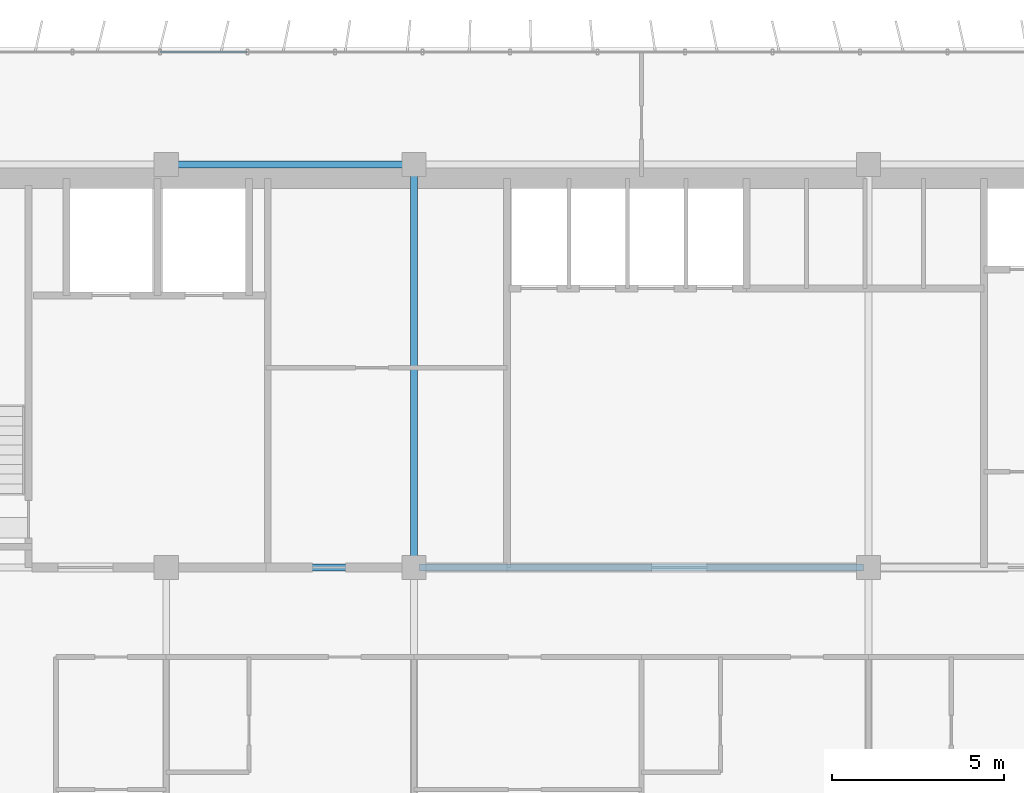
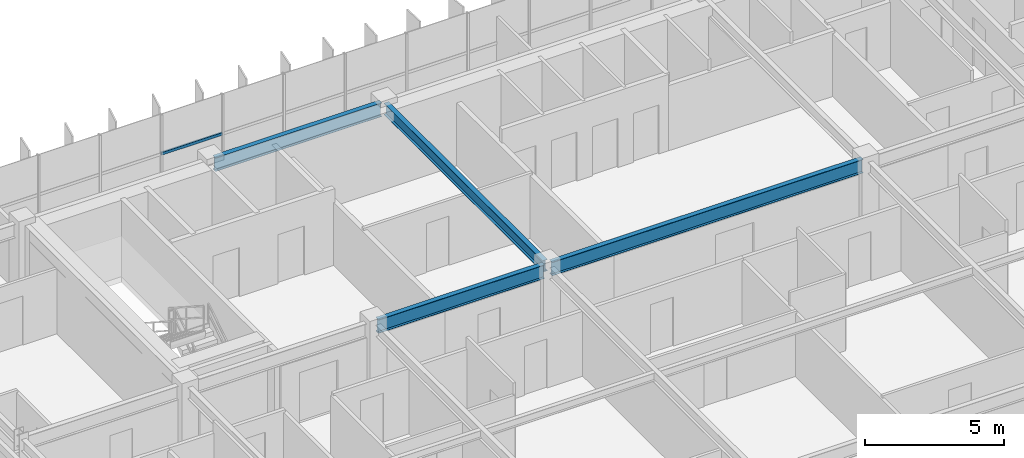
# One storey, part 5 of 22: 4 beams, 1 member, 1 element without a shape of its own.
"""IFC4 building model written with IfcOpenShell, lengths in metres."""

from ifc_helpers import new_model, si_unit, direction, frame, origin, origin_2d, place, context, subcontext, project, spatial, hollow_rectangle, i_section, extrude, source, transform, mapped, material, material_profile, profile_set, type_object, element, aggregate, save


model = new_model("IFC4")

# Units and contexts
model_context = context("Model", 3, precision=1e-05, world=origin(), true_north=direction((0.0, 1.0)))
body_context = subcontext(model_context, "Body", "Model", "MODEL_VIEW")
ifc_project = project(units=[si_unit("LENGTHUNIT", "METRE"), si_unit("AREAUNIT", "SQUARE_METRE"), si_unit("VOLUMEUNIT", "CUBIC_METRE"), si_unit("PLANEANGLEUNIT", "RADIAN"), si_unit("MASSUNIT", "GRAM", prefix="KILO")], contexts=[model_context])

# Site, building, storey
site_placement = place(None, origin())
site = spatial("IfcSite", under=ifc_project, at=site_placement, CompositionType="ELEMENT")
building_placement = place(site_placement, origin())
building = spatial("IfcBuilding", under=site, at=building_placement, Name="Trelvane Seafront Commons", CompositionType="ELEMENT")
storey_placement = place(building_placement, frame((0.0, 0.0, 139.300048828125)))
storey = spatial("IfcBuildingStorey", under=building, at=storey_placement, Name="L36", CompositionType="ELEMENT", Elevation=139.300048828125)

# Beams
ifc_material_1 = material(Name="Steel SM355 (S355)", Category="steel")
ifc_material_profile_1 = material_profile(ifc_material_1, i_section(OverallWidth=0.199951171875, OverallDepth=0.5, WebThickness=0.010009765625, FlangeThickness=0.01611328125, at=origin_2d()), Name="H-500x200x10x16")
ifc_profile_set_1 = profile_set([ifc_material_profile_1], Name="Steel SM355 (S355)")
beam_type_1 = type_object("IfcBeamType", Name="STR-BM-H500", PredefinedType="BEAM", material=ifc_profile_set_1)
shared_shape_1 = source(origin(), body_context, "Body", "SweptSolid", [
    extrude(i_section(OverallWidth=0.199951171875, OverallDepth=0.5, WebThickness=0.010009765625, FlangeThickness=0.01611328125, at=origin_2d()), origin(), (0.0, 0.0, 1.0), 11.39990234375),
])
beam_1_placement = place(storey_placement, frame((30.60009765625, 33.550048828125, 3.099853515625), z_axis=(0.0, 1.0, 0.0), x_axis=(-1.0, 0.0, 0.0)))
element("IfcBeam", 1, at=beam_1_placement, inside=storey, type_object=beam_type_1, Name="L36 Primary Girder G-40", PredefinedType="BEAM", context=body_context, shape_type="MappedRepresentation", body=[
    mapped(shared_shape_1, transform((0.0, 0.0, 0.0), x_axis=(1.0, 0.0, 0.0), y_axis=(0.0, 1.0, 0.0), z_axis=(0.0, 0.0, 1.0), scale=1.0)),
])
ifc_material_profile_2 = material_profile(ifc_material_1, i_section(OverallWidth=0.199951171875, OverallDepth=0.60009765625, WebThickness=0.010986328125, FlangeThickness=0.01708984375, at=origin_2d()), Name="H-600x200x11x17")
ifc_profile_set_2 = profile_set([ifc_material_profile_2], Name="Steel SM355 (S355)")
beam_type_2 = type_object("IfcBeamType", Name="STR-SPD-H600", PredefinedType="SPANDREL", material=ifc_profile_set_2)
shared_shape_2 = source(origin(), body_context, "Body", "SweptSolid", [
    extrude(i_section(OverallWidth=0.199951171875, OverallDepth=0.60009765625, WebThickness=0.010986328125, FlangeThickness=0.01708984375, at=origin_2d()), origin(), (0.0, 0.0, 1.0), 12.89990234375),
])
beam_2_placement = place(storey_placement, frame((30.75, 33.39990234375, 3.050048828125), z_axis=(1.0, 0.0, 0.0), x_axis=(0.0, 1.0, 0.0)))
element("IfcBeam", 2, at=beam_2_placement, inside=storey, type_object=beam_type_2, Name="L36 Primary Girder G-18", PredefinedType="SPANDREL", context=body_context, shape_type="MappedRepresentation", body=[
    mapped(shared_shape_2, transform((0.0, 0.0, 0.0), x_axis=(1.0, 0.0, 0.0), y_axis=(0.0, 1.0, 0.0), z_axis=(0.0, 0.0, 1.0), scale=1.0)),
])
shared_shape_3 = source(origin(), body_context, "Body", "SweptSolid", [
    extrude(i_section(OverallWidth=0.199951171875, OverallDepth=0.60009765625, WebThickness=0.010986328125, FlangeThickness=0.01708984375, at=origin_2d()), origin(), (0.0, 0.0, 1.0), 6.89990234375),
])
for number, where, z_axis, x_axis, name in (
    (3, (23.550048828125, 33.39990234375, 3.050048828125), (1.0, 0.0, 0.0), (0.0, 1.0, 0.0), "L36 Primary Girder G-17"),
    (4, (23.550048828125, 45.10009765625, 3.050048828125), (1.0, 0.0, 0.0), (0.0, 1.0, 0.0), "L36 Primary Girder G-24"),
):
    element("IfcBeam", number, at=place(storey_placement, frame(where, z_axis=z_axis, x_axis=x_axis)), inside=storey, type_object=beam_type_2, Name=name, PredefinedType="SPANDREL", context=body_context, shape_type="MappedRepresentation", body=[
        mapped(shared_shape_3, transform((0.0, 0.0, 0.0), x_axis=(1.0, 0.0, 0.0), y_axis=(0.0, 1.0, 0.0), z_axis=(0.0, 0.0, 1.0), scale=1.0)),
    ])

# Curtain wall, member
ifc_material_2 = material(Name="Anodised pale-silver aluminium", Category="aluminium")
curtain_wall_type = type_object("IfcCurtainWallType", Name="ARCH-CW5-UPTOWER", PredefinedType="NOTDEFINED", material=ifc_material_2)
curtain_wall_placement = place(storey_placement, origin())
curtain_wall = element("IfcCurtainWall", 5, at=curtain_wall_placement, inside=storey, type_object=curtain_wall_type, Name="CW-L36-0063", PredefinedType="NOTDEFINED")
ifc_material_profile_3 = material_profile(ifc_material_2, hollow_rectangle(XDim=0.070068359375, YDim=0.1201171875, WallThickness=0.00390625, at=origin_2d()), Name="TRAN-70x120x4")
ifc_profile_set_3 = profile_set([ifc_material_profile_3], Name="Anodised pale-silver aluminium")
member_type = type_object("IfcMemberType", Name="ARCH-CW-TRAN-120", PredefinedType="USERDEFINED", material=ifc_profile_set_3)
shared_shape_4 = source(origin(), body_context, "Body", "SweptSolid", [
    extrude(hollow_rectangle(XDim=0.070068359375, YDim=0.1201171875, WallThickness=0.00390625, at=origin_2d()), origin(), (0.0, 0.0, 1.0), 2.51708984375),
])
member_placement = place(storey_placement, frame((23.235595703125, 48.3701171875, 1.60791015625), z_axis=(1.0, 0.0, 0.0), x_axis=(0.0, 1.0, 0.0)))
member = element("IfcMember", 6, at=member_placement, type_object=member_type, Name="CW-L36-0063-T03", ObjectType="TRANSOM", PredefinedType="USERDEFINED", context=body_context, shape_type="MappedRepresentation", body=[
    mapped(shared_shape_4, transform((0.0, 0.0, 0.0), x_axis=(1.0, 0.0, 0.0), y_axis=(0.0, 1.0, 0.0), z_axis=(0.0, 0.0, 1.0), scale=1.0)),
])
aggregate(curtain_wall, [member])

save(model, "model.ifc")
